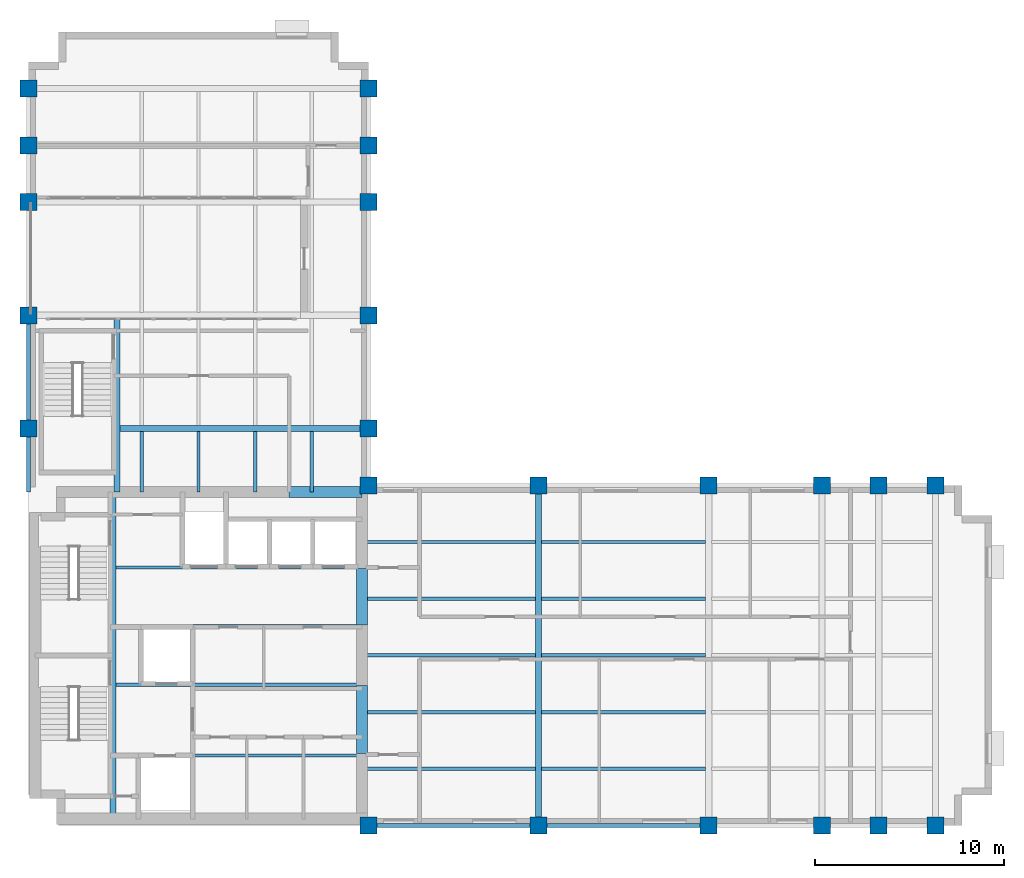
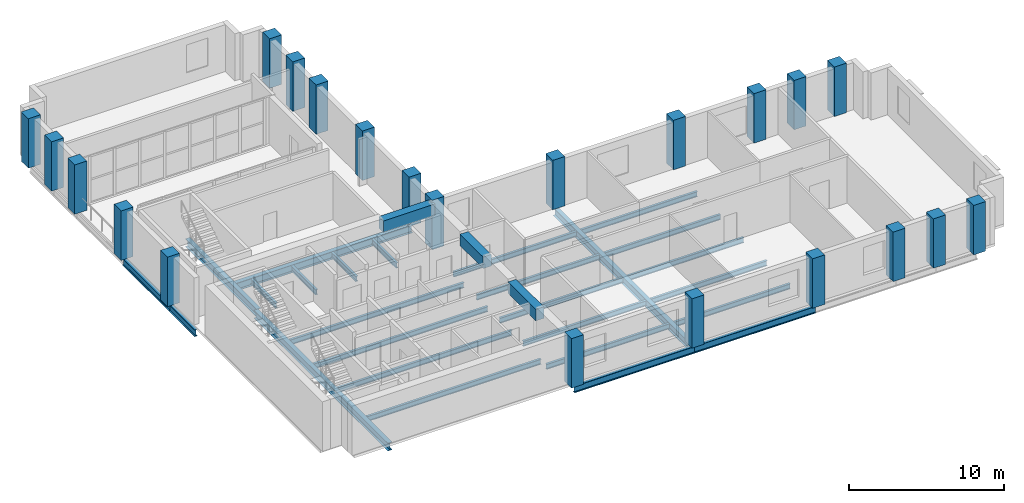
# One storey, part 1 of 11: 29 beams, 22 columns.
"""IFC4 building model written with IfcOpenShell, lengths in metres."""

from ifc_helpers import new_model, si_unit, direction, frame, origin, origin_2d, place, context, subcontext, project, spatial, rectangle, i_section, extrude, material, material_profile, profile_set, type_object, element, save


model = new_model("IFC4")

# Units and contexts
model_context = context("Model", 3, precision=1e-05, world=origin(), true_north=direction((0.0, 1.0)))
body_context = subcontext(model_context, "Body", "Model", "MODEL_VIEW")
ifc_project = project(units=[si_unit("LENGTHUNIT", "METRE"), si_unit("AREAUNIT", "SQUARE_METRE"), si_unit("VOLUMEUNIT", "CUBIC_METRE"), si_unit("PLANEANGLEUNIT", "RADIAN"), si_unit("MASSUNIT", "GRAM", prefix="KILO")], contexts=[model_context])

# Site, building, storey
site_placement = place(None, origin())
site = spatial("IfcSite", under=ifc_project, at=site_placement, CompositionType="ELEMENT")
building_placement = place(site_placement, origin())
building = spatial("IfcBuilding", under=site, at=building_placement, Name="Mawjdan Bourse Tower", CompositionType="ELEMENT")
storey_placement = place(building_placement, frame((0.0, 0.0, 191.699951171875)))
storey = spatial("IfcBuildingStorey", under=building, at=storey_placement, Name="L46", CompositionType="ELEMENT", Elevation=191.699951171875)

# Columns
ifc_material_1 = material(Name="Concrete C70/85", Category="concrete")
ifc_material_profile_1 = material_profile(ifc_material_1, rectangle(XDim=0.89990234375, YDim=0.89990234375, at=origin_2d()), Name="RC900X900")
ifc_profile_set_1 = profile_set([ifc_material_profile_1], Name="Concrete C70/85")
column_type = type_object("IfcColumnType", Name="COL-RC900X900", PredefinedType="COLUMN", material=ifc_profile_set_1)
for number, where, z_axis, x_axis, name in (
    (1, (24.0, 3.0, 0.0), (0.0, 0.0, 1.0), (1.0, 0.0, 0.0), "L46 Structural Column C-X240-Y30"),
    (2, (24.0, 21.0, 0.0), (0.0, 0.0, 1.0), (1.0, 0.0, 0.0), "L46 Structural Column C-X240-Y210"),
    (3, (33.0, 3.0, 0.0), (0.0, 0.0, 1.0), (1.0, 0.0, 0.0), "L46 Structural Column C-X330-Y30"),
    (4, (33.0, 21.0, 0.0), (0.0, 0.0, 1.0), (1.0, 0.0, 0.0), "L46 Structural Column C-X330-Y210"),
    (5, (42.0, 3.0, 0.0), (0.0, 0.0, 1.0), (1.0, 0.0, 0.0), "L46 Structural Column C-X420-Y30"),
    (6, (42.0, 21.0, 0.0), (0.0, 0.0, 1.0), (1.0, 0.0, 0.0), "L46 Structural Column C-X420-Y210"),
    (7, (48.0, 3.0, 0.0), (0.0, 0.0, 1.0), (1.0, 0.0, 0.0), "L46 Structural Column C-X480-Y30"),
    (8, (48.0, 21.0, 0.0), (0.0, 0.0, 1.0), (1.0, 0.0, 0.0), "L46 Structural Column C-X480-Y210"),
    (9, (51.0, 3.0, 0.0), (0.0, 0.0, 1.0), (1.0, 0.0, 0.0), "L46 Structural Column C-X510-Y30"),
    (10, (51.0, 21.0, 0.0), (0.0, 0.0, 1.0), (1.0, 0.0, 0.0), "L46 Structural Column C-X510-Y210"),
    (11, (54.0, 3.0, 0.0), (0.0, 0.0, 1.0), (1.0, 0.0, 0.0), "L46 Structural Column C-X540-Y30"),
    (12, (54.0, 21.0, 0.0), (0.0, 0.0, 1.0), (1.0, 0.0, 0.0), "L46 Structural Column C-X540-Y210"),
    (13, (6.0, 24.0, 0.0), (0.0, 0.0, 1.0), (1.0, 0.0, 0.0), "L46 Structural Column C-X60-Y240"),
    (14, (24.0, 24.0, 0.0), (0.0, 0.0, 1.0), (1.0, 0.0, 0.0), "L46 Structural Column C-X240-Y240"),
    (15, (6.0, 30.0, 0.0), (0.0, 0.0, 1.0), (1.0, 0.0, 0.0), "L46 Structural Column C-X60-Y300"),
    (16, (24.0, 30.0, 0.0), (0.0, 0.0, 1.0), (1.0, 0.0, 0.0), "L46 Structural Column C-X240-Y300"),
    (17, (6.0, 36.0, 0.0), (0.0, 0.0, 1.0), (1.0, 0.0, 0.0), "L46 Structural Column C-X60-Y360"),
    (18, (24.0, 36.0, 0.0), (0.0, 0.0, 1.0), (1.0, 0.0, 0.0), "L46 Structural Column C-X240-Y360"),
    (19, (6.0, 39.0, 0.0), (0.0, 0.0, 1.0), (1.0, 0.0, 0.0), "L46 Structural Column C-X60-Y390"),
    (20, (24.0, 39.0, 0.0), (0.0, 0.0, 1.0), (1.0, 0.0, 0.0), "L46 Structural Column C-X240-Y390"),
    (21, (6.0, 42.0, 0.0), (0.0, 0.0, 1.0), (1.0, 0.0, 0.0), "L46 Structural Column C-X60-Y420"),
    (22, (24.0, 42.0, 0.0), (0.0, 0.0, 1.0), (1.0, 0.0, 0.0), "L46 Structural Column C-X240-Y420"),
):
    element("IfcColumn", number, at=place(storey_placement, frame(where, z_axis=z_axis, x_axis=x_axis)), inside=storey, type_object=column_type, Name=name, PredefinedType="COLUMN", context=body_context, shape_type="SweptSolid", body=[
        extrude(rectangle(XDim=0.89990234375, YDim=0.89990234375, at=origin_2d()), origin(), (0.0, 0.0, 1.0), 3.900146484375),
    ])

# Beams
ifc_material_2 = material(Name="Structural Steel S355", Category="steel")
ifc_material_profile_2 = material_profile(ifc_material_2, i_section(OverallWidth=0.324951171875, OverallDepth=0.616943359375, WebThickness=0.013916015625, FlangeThickness=0.021484375, FilletRadius=0.017333984375, at=origin_2d()), Name="W24X117")
ifc_profile_set_2 = profile_set([ifc_material_profile_2], Name="Structural Steel S355")
beam_type_1 = type_object("IfcBeamType", Name="GRD-W24X117", PredefinedType="BEAM", material=ifc_profile_set_2)
beam_1_placement = place(storey_placement, frame((10.47998046875, 3.35009765625, -0.508544921875), z_axis=(0.0, 1.0, 0.0), x_axis=(-1.0, 0.0, 0.0)))
element("IfcBeam", 23, at=beam_1_placement, inside=storey, type_object=beam_type_1, Name="L46 Core Stair Trimmer Girder 001", PredefinedType="BEAM", context=body_context, shape_type="SweptSolid", body=[
    extrude(i_section(OverallWidth=0.324951171875, OverallDepth=0.616943359375, WebThickness=0.013916015625, FlangeThickness=0.021484375, FilletRadius=0.017333984375, at=origin_2d()), origin(), (0.0, 0.0, 1.0), 17.2998046875),
])
beam_2_placement = place(storey_placement, frame((33.0, 3.0, -0.508544921875), z_axis=(0.0, 1.0, 0.0), x_axis=(-1.0, 0.0, 0.0)))
element("IfcBeam", 24, at=beam_2_placement, inside=storey, type_object=beam_type_1, Name="L46 East Wing Clear-Span Girder 002", PredefinedType="BEAM", context=body_context, shape_type="SweptSolid", body=[
    extrude(i_section(OverallWidth=0.324951171875, OverallDepth=0.616943359375, WebThickness=0.013916015625, FlangeThickness=0.021484375, FilletRadius=0.017333984375, at=origin_2d()), origin(), (0.0, 0.0, 1.0), 18.0),
])
beam_3_placement = place(storey_placement, frame((10.679931640625, 20.64990234375, -0.508544921875), z_axis=(0.0, 1.0, 0.0), x_axis=(-1.0, 0.0, 0.0)))
element("IfcBeam", 25, at=beam_3_placement, inside=storey, type_object=beam_type_1, Name="L46 North Wing Stair Trimmer Girder 046", PredefinedType="BEAM", context=body_context, shape_type="SweptSolid", body=[
    extrude(i_section(OverallWidth=0.324951171875, OverallDepth=0.616943359375, WebThickness=0.013916015625, FlangeThickness=0.021484375, FilletRadius=0.017333984375, at=origin_2d()), origin(), (0.0, 0.0, 1.0), 9.189697265625),
])
beam_4_placement = place(storey_placement, frame((10.840576171875, 24.0, -0.508544921875), z_axis=(1.0, 0.0, 0.0), x_axis=(0.0, 1.0, 0.0)))
element("IfcBeam", 26, at=beam_4_placement, inside=storey, type_object=beam_type_1, Name="L46 North Wing Clear-Span Girder 047", PredefinedType="BEAM", context=body_context, shape_type="SweptSolid", body=[
    extrude(i_section(OverallWidth=0.324951171875, OverallDepth=0.616943359375, WebThickness=0.013916015625, FlangeThickness=0.021484375, FilletRadius=0.017333984375, at=origin_2d()), origin(), (0.0, 0.0, 1.0), 13.159423828125),
])
ifc_material_profile_3 = material_profile(ifc_material_2, i_section(OverallWidth=0.177978515625, OverallDepth=0.406982421875, WebThickness=0.0078125, FlangeThickness=0.0126953125, FilletRadius=0.01025390625, at=origin_2d()), Name="W16X40")
ifc_profile_set_3 = profile_set([ifc_material_profile_3], Name="Structural Steel S355")
beam_type_2 = type_object("IfcBeamType", Name="JST-W16X40", PredefinedType="JOIST", material=ifc_profile_set_3)
beam_5_placement = place(storey_placement, frame((23.64990234375, 6.0, -0.403564453125), z_axis=(1.0, 0.0, 0.0), x_axis=(0.0, 1.0, 0.0)))
element("IfcBeam", 27, at=beam_5_placement, inside=storey, type_object=beam_type_2, Name="L46 East Wing Composite Joist 017", PredefinedType="JOIST", context=body_context, shape_type="SweptSolid", body=[
    extrude(i_section(OverallWidth=0.177978515625, OverallDepth=0.406982421875, WebThickness=0.0078125, FlangeThickness=0.0126953125, FilletRadius=0.01025390625, at=origin_2d()), origin(), (0.0, 0.0, 1.0), 9.189697265625),
])
beam_6_placement = place(storey_placement, frame((33.160400390625, 6.0, -0.403564453125), z_axis=(1.0, 0.0, 0.0), x_axis=(0.0, 1.0, 0.0)))
element("IfcBeam", 28, at=beam_6_placement, inside=storey, type_object=beam_type_2, Name="L46 East Wing Composite Joist 018", PredefinedType="JOIST", context=body_context, shape_type="SweptSolid", body=[
    extrude(i_section(OverallWidth=0.177978515625, OverallDepth=0.406982421875, WebThickness=0.0078125, FlangeThickness=0.0126953125, FilletRadius=0.01025390625, at=origin_2d()), origin(), (0.0, 0.0, 1.0), 8.67919921875),
])
beam_7_placement = place(storey_placement, frame((23.64990234375, 9.0, -0.403564453125), z_axis=(1.0, 0.0, 0.0), x_axis=(0.0, 1.0, 0.0)))
element("IfcBeam", 29, at=beam_7_placement, inside=storey, type_object=beam_type_2, Name="L46 East Wing Composite Joist 022", PredefinedType="JOIST", context=body_context, shape_type="SweptSolid", body=[
    extrude(i_section(OverallWidth=0.177978515625, OverallDepth=0.406982421875, WebThickness=0.0078125, FlangeThickness=0.0126953125, FilletRadius=0.01025390625, at=origin_2d()), origin(), (0.0, 0.0, 1.0), 9.189697265625),
])
beam_8_placement = place(storey_placement, frame((33.160400390625, 9.0, -0.403564453125), z_axis=(1.0, 0.0, 0.0), x_axis=(0.0, 1.0, 0.0)))
element("IfcBeam", 30, at=beam_8_placement, inside=storey, type_object=beam_type_2, Name="L46 East Wing Composite Joist 023", PredefinedType="JOIST", context=body_context, shape_type="SweptSolid", body=[
    extrude(i_section(OverallWidth=0.177978515625, OverallDepth=0.406982421875, WebThickness=0.0078125, FlangeThickness=0.0126953125, FilletRadius=0.01025390625, at=origin_2d()), origin(), (0.0, 0.0, 1.0), 8.67919921875),
])
beam_9_placement = place(storey_placement, frame((23.64990234375, 12.0, -0.403564453125), z_axis=(1.0, 0.0, 0.0), x_axis=(0.0, 1.0, 0.0)))
element("IfcBeam", 31, at=beam_9_placement, inside=storey, type_object=beam_type_2, Name="L46 East Wing Composite Joist 027", PredefinedType="JOIST", context=body_context, shape_type="SweptSolid", body=[
    extrude(i_section(OverallWidth=0.177978515625, OverallDepth=0.406982421875, WebThickness=0.0078125, FlangeThickness=0.0126953125, FilletRadius=0.01025390625, at=origin_2d()), origin(), (0.0, 0.0, 1.0), 9.189697265625),
])
beam_10_placement = place(storey_placement, frame((33.160400390625, 12.0, -0.403564453125), z_axis=(1.0, 0.0, 0.0), x_axis=(0.0, 1.0, 0.0)))
element("IfcBeam", 32, at=beam_10_placement, inside=storey, type_object=beam_type_2, Name="L46 East Wing Composite Joist 028", PredefinedType="JOIST", context=body_context, shape_type="SweptSolid", body=[
    extrude(i_section(OverallWidth=0.177978515625, OverallDepth=0.406982421875, WebThickness=0.0078125, FlangeThickness=0.0126953125, FilletRadius=0.01025390625, at=origin_2d()), origin(), (0.0, 0.0, 1.0), 8.67919921875),
])
beam_11_placement = place(storey_placement, frame((23.64990234375, 15.0, -0.403564453125), z_axis=(1.0, 0.0, 0.0), x_axis=(0.0, 1.0, 0.0)))
element("IfcBeam", 33, at=beam_11_placement, inside=storey, type_object=beam_type_2, Name="L46 East Wing Composite Joist 032", PredefinedType="JOIST", context=body_context, shape_type="SweptSolid", body=[
    extrude(i_section(OverallWidth=0.177978515625, OverallDepth=0.406982421875, WebThickness=0.0078125, FlangeThickness=0.0126953125, FilletRadius=0.01025390625, at=origin_2d()), origin(), (0.0, 0.0, 1.0), 9.189697265625),
])
beam_12_placement = place(storey_placement, frame((33.160400390625, 15.0, -0.403564453125), z_axis=(1.0, 0.0, 0.0), x_axis=(0.0, 1.0, 0.0)))
element("IfcBeam", 34, at=beam_12_placement, inside=storey, type_object=beam_type_2, Name="L46 East Wing Composite Joist 033", PredefinedType="JOIST", context=body_context, shape_type="SweptSolid", body=[
    extrude(i_section(OverallWidth=0.177978515625, OverallDepth=0.406982421875, WebThickness=0.0078125, FlangeThickness=0.0126953125, FilletRadius=0.01025390625, at=origin_2d()), origin(), (0.0, 0.0, 1.0), 8.67919921875),
])
beam_13_placement = place(storey_placement, frame((23.64990234375, 18.0, -0.403564453125), z_axis=(1.0, 0.0, 0.0), x_axis=(0.0, 1.0, 0.0)))
element("IfcBeam", 35, at=beam_13_placement, inside=storey, type_object=beam_type_2, Name="L46 East Wing Composite Joist 037", PredefinedType="JOIST", context=body_context, shape_type="SweptSolid", body=[
    extrude(i_section(OverallWidth=0.177978515625, OverallDepth=0.406982421875, WebThickness=0.0078125, FlangeThickness=0.0126953125, FilletRadius=0.01025390625, at=origin_2d()), origin(), (0.0, 0.0, 1.0), 9.189697265625),
])
beam_14_placement = place(storey_placement, frame((33.160400390625, 18.0, -0.403564453125), z_axis=(1.0, 0.0, 0.0), x_axis=(0.0, 1.0, 0.0)))
element("IfcBeam", 36, at=beam_14_placement, inside=storey, type_object=beam_type_2, Name="L46 East Wing Composite Joist 038", PredefinedType="JOIST", context=body_context, shape_type="SweptSolid", body=[
    extrude(i_section(OverallWidth=0.177978515625, OverallDepth=0.406982421875, WebThickness=0.0078125, FlangeThickness=0.0126953125, FilletRadius=0.01025390625, at=origin_2d()), origin(), (0.0, 0.0, 1.0), 8.67919921875),
])
for number, where, z_axis, x_axis, name in (
    (37, (10.640380859375, 6.699951171875, -0.403564453125), (1.0, 0.0, 0.0), (0.0, 1.0, 0.0), "L46 Core Floor Joist 042"),
    (38, (10.640380859375, 10.449951171875, -0.403564453125), (1.0, 0.0, 0.0), (0.0, 1.0, 0.0), "L46 Core Floor Joist 043"),
    (39, (10.640380859375, 13.550048828125, -0.403564453125), (1.0, 0.0, 0.0), (0.0, 1.0, 0.0), "L46 Core Floor Joist 044"),
    (40, (10.640380859375, 16.64990234375, -0.403564453125), (1.0, 0.0, 0.0), (0.0, 1.0, 0.0), "L46 Core Floor Joist 045"),
):
    element("IfcBeam", number, at=place(storey_placement, frame(where, z_axis=z_axis, x_axis=x_axis)), inside=storey, type_object=beam_type_2, Name=name, PredefinedType="JOIST", context=body_context, shape_type="SweptSolid", body=[
        extrude(i_section(OverallWidth=0.177978515625, OverallDepth=0.406982421875, WebThickness=0.0078125, FlangeThickness=0.0126953125, FilletRadius=0.01025390625, at=origin_2d()), origin(), (0.0, 0.0, 1.0), 13.009521484375),
    ])
for number, where, z_axis, x_axis, name in (
    (41, (12.0, 20.64990234375, -0.403564453125), (0.0, 1.0, 0.0), (-1.0, 0.0, 0.0), "L46 North Wing Composite Joist 064"),
    (42, (15.0, 20.64990234375, -0.403564453125), (0.0, 1.0, 0.0), (-1.0, 0.0, 0.0), "L46 North Wing Composite Joist 069"),
    (43, (18.0, 20.64990234375, -0.403564453125), (0.0, 1.0, 0.0), (-1.0, 0.0, 0.0), "L46 North Wing Composite Joist 074"),
    (44, (21.0, 20.64990234375, -0.403564453125), (0.0, 1.0, 0.0), (-1.0, 0.0, 0.0), "L46 North Wing Composite Joist 079"),
):
    element("IfcBeam", number, at=place(storey_placement, frame(where, z_axis=z_axis, x_axis=x_axis)), inside=storey, type_object=beam_type_2, Name=name, PredefinedType="JOIST", context=body_context, shape_type="SweptSolid", body=[
        extrude(i_section(OverallWidth=0.177978515625, OverallDepth=0.406982421875, WebThickness=0.0078125, FlangeThickness=0.0126953125, FilletRadius=0.01025390625, at=origin_2d()), origin(), (0.0, 0.0, 1.0), 3.189697265625),
    ])
ifc_material_profile_4 = material_profile(ifc_material_1, rectangle(XDim=0.60009765625, YDim=0.89990234375, at=origin_2d()), Name="RCB600X900")
ifc_profile_set_4 = profile_set([ifc_material_profile_4], Name="Concrete C70/85")
beam_type_3 = type_object("IfcBeamType", Name="LNT-RCB600X900", PredefinedType="LINTEL", material=ifc_profile_set_4)
beam_15_placement = place(storey_placement, frame((23.64990234375, 6.800048828125, 3.25), z_axis=(0.0, 1.0, 0.0), x_axis=(-1.0, 0.0, 0.0)))
element("IfcBeam", 45, at=beam_15_placement, inside=storey, type_object=beam_type_3, Name="L46 Coupled Core Lintel CB-E1", PredefinedType="LINTEL", context=body_context, shape_type="SweptSolid", body=[
    extrude(rectangle(XDim=0.60009765625, YDim=0.89990234375, at=origin_2d()), origin(), (0.0, 0.0, 1.0), 3.599853515625),
])
beam_16_placement = place(storey_placement, frame((23.64990234375, 13.60009765625, 3.25), z_axis=(0.0, 1.0, 0.0), x_axis=(-1.0, 0.0, 0.0)))
element("IfcBeam", 46, at=beam_16_placement, inside=storey, type_object=beam_type_3, Name="L46 Coupled Core Lintel CB-E2", PredefinedType="LINTEL", context=body_context, shape_type="SweptSolid", body=[
    extrude(rectangle(XDim=0.60009765625, YDim=0.89990234375, at=origin_2d()), origin(), (0.0, 0.0, 1.0), 3.0),
])
beam_17_placement = place(storey_placement, frame((19.800048828125, 20.64990234375, 3.25), z_axis=(1.0, 0.0, 0.0), x_axis=(0.0, 1.0, 0.0)))
element("IfcBeam", 47, at=beam_17_placement, inside=storey, type_object=beam_type_3, Name="L46 Coupled Core Lintel CB-N1", PredefinedType="LINTEL", context=body_context, shape_type="SweptSolid", body=[
    extrude(rectangle(XDim=0.60009765625, YDim=0.89990234375, at=origin_2d()), origin(), (0.0, 0.0, 1.0), 3.849853515625),
])
ifc_material_profile_5 = material_profile(ifc_material_2, i_section(OverallWidth=0.2119140625, OverallDepth=0.5439453125, WebThickness=0.01318359375, FlangeThickness=0.021240234375, FilletRadius=0.01708984375, at=origin_2d()), Name="W21X83")
ifc_profile_set_5 = profile_set([ifc_material_profile_5], Name="Structural Steel S355")
beam_type_4 = type_object("IfcBeamType", Name="SPN-W21X83", PredefinedType="SPANDREL", material=ifc_profile_set_5)
for number, where, z_axis, x_axis, name in (
    (48, (24.0, 3.0, -0.471923828125), (1.0, 0.0, 0.0), (0.0, 1.0, 0.0), "L46 Perimeter Masonry-Shelf Spandrel 007"),
    (49, (33.0, 3.0, -0.471923828125), (1.0, 0.0, 0.0), (0.0, 1.0, 0.0), "L46 Perimeter Masonry-Shelf Spandrel 008"),
):
    element("IfcBeam", number, at=place(storey_placement, frame(where, z_axis=z_axis, x_axis=x_axis)), inside=storey, type_object=beam_type_4, Name=name, PredefinedType="SPANDREL", context=body_context, shape_type="SweptSolid", body=[
        extrude(i_section(OverallWidth=0.2119140625, OverallDepth=0.5439453125, WebThickness=0.01318359375, FlangeThickness=0.021240234375, FilletRadius=0.01708984375, at=origin_2d()), origin(), (0.0, 0.0, 1.0), 9.0),
    ])
beam_18_placement = place(storey_placement, frame((6.0, 20.64990234375, -0.471923828125), z_axis=(0.0, 1.0, 0.0), x_axis=(-1.0, 0.0, 0.0)))
element("IfcBeam", 50, at=beam_18_placement, inside=storey, type_object=beam_type_4, Name="L46 North Wing Spandrel 054", PredefinedType="SPANDREL", context=body_context, shape_type="SweptSolid", body=[
    extrude(i_section(OverallWidth=0.2119140625, OverallDepth=0.5439453125, WebThickness=0.01318359375, FlangeThickness=0.021240234375, FilletRadius=0.01708984375, at=origin_2d()), origin(), (0.0, 0.0, 1.0), 3.35009765625),
])
beam_19_placement = place(storey_placement, frame((6.0, 24.0, -0.471923828125), z_axis=(0.0, 1.0, 0.0), x_axis=(-1.0, 0.0, 0.0)))
element("IfcBeam", 51, at=beam_19_placement, inside=storey, type_object=beam_type_4, Name="L46 North Wing Spandrel 055", PredefinedType="SPANDREL", context=body_context, shape_type="SweptSolid", body=[
    extrude(i_section(OverallWidth=0.2119140625, OverallDepth=0.5439453125, WebThickness=0.01318359375, FlangeThickness=0.021240234375, FilletRadius=0.01708984375, at=origin_2d()), origin(), (0.0, 0.0, 1.0), 6.0),
])

save(model, "model.ifc")
